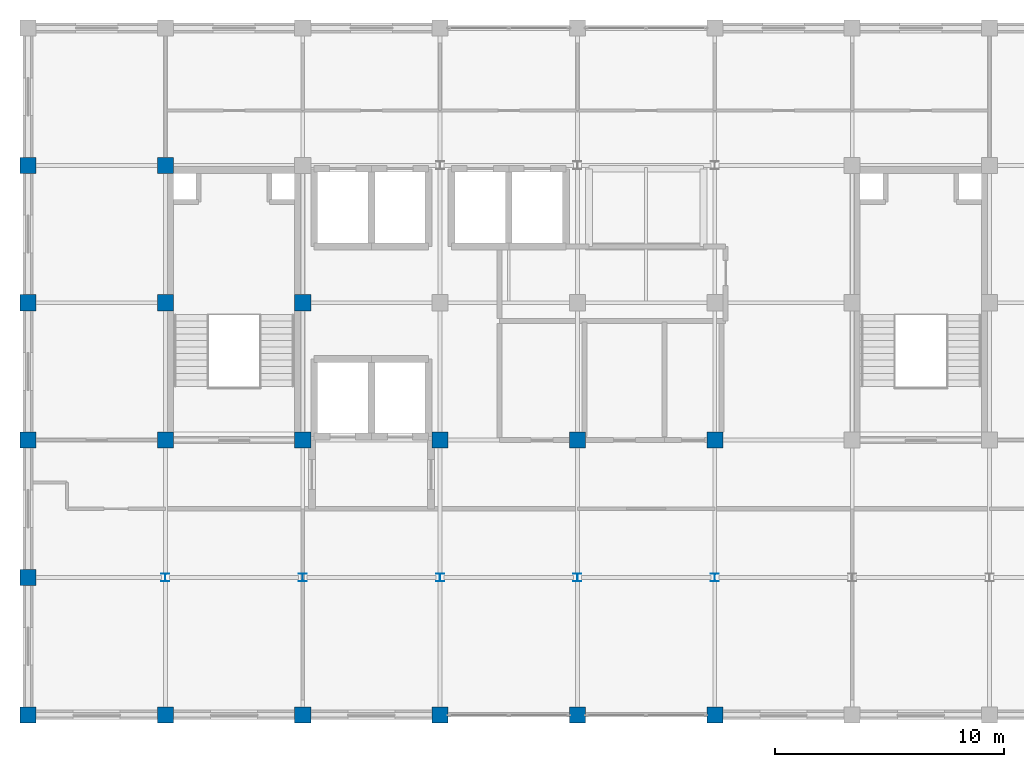
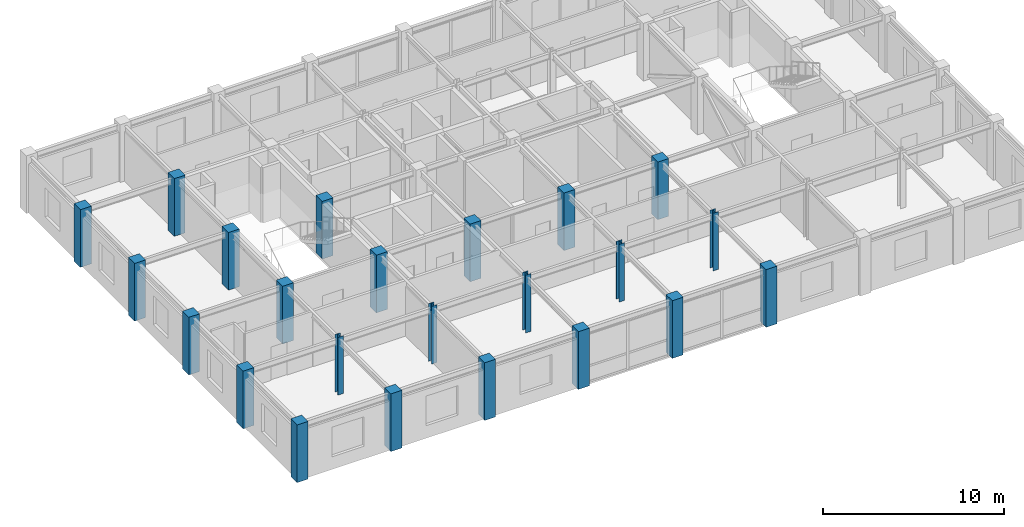
# One storey, part 1 of 13: 23 columns.
"""IFC4 building model written with IfcOpenShell, lengths in metres."""

from ifc_helpers import new_model, si_unit, direction, frame, origin, origin_2d, place, context, subcontext, project, spatial, rectangle, i_section, extrude, material, material_profile, profile_set, type_object, element, save


model = new_model("IFC4")

# Units and contexts
model_context = context("Model", 3, precision=1e-05, world=origin(), true_north=direction((0.0, 1.0)))
body_context = subcontext(model_context, "Body", "Model", "MODEL_VIEW")
ifc_project = project(units=[si_unit("LENGTHUNIT", "METRE"), si_unit("AREAUNIT", "SQUARE_METRE"), si_unit("VOLUMEUNIT", "CUBIC_METRE"), si_unit("PLANEANGLEUNIT", "RADIAN"), si_unit("MASSUNIT", "GRAM", prefix="KILO")], contexts=[model_context])

# Site, building, storey
site_placement = place(None, origin())
site = spatial("IfcSite", under=ifc_project, at=site_placement, CompositionType="ELEMENT")
building_placement = place(site_placement, origin())
building = spatial("IfcBuilding", under=site, at=building_placement, Name="Zlatovratsky Civic Hall", CompositionType="ELEMENT")
storey_placement = place(building_placement, frame((0.0, 0.0, 44.39990234375)))
storey = spatial("IfcBuildingStorey", under=building, at=storey_placement, Name="L11", CompositionType="ELEMENT", Elevation=44.39990234375)

# Columns
ifc_material_1 = material(Name="Concrete C35/45 (B40)", Category="concrete")
ifc_material_profile_1 = material_profile(ifc_material_1, rectangle(XDim=0.699951171875, YDim=0.699951171875, at=origin_2d()), Name="RC 700x700")
ifc_profile_set_1 = profile_set([ifc_material_profile_1], Name="Concrete C35/45 (B40)")
column_type_1 = type_object("IfcColumnType", Name="Col_CorePier_RC700", PredefinedType="COLUMN", material=ifc_profile_set_1)
for number, where, z_axis, x_axis, name in (
    (1, (60.0, 72.0, 0.0), (0.0, 0.0, 1.0), (1.0, 0.0, 0.0), "CL-2357"),
    (2, (66.0, 72.0, 0.0), (0.0, 0.0, 1.0), (1.0, 0.0, 0.0), "CL-2358"),
    (3, (72.0, 72.0, 0.0), (0.0, 0.0, 1.0), (1.0, 0.0, 0.0), "CL-2359"),
    (4, (78.0, 72.0, 0.0), (0.0, 0.0, 1.0), (1.0, 0.0, 0.0), "CL-2360"),
    (5, (84.0, 72.0, 0.0), (0.0, 0.0, 1.0), (1.0, 0.0, 0.0), "CL-2361"),
    (6, (90.0, 72.0, 0.0), (0.0, 0.0, 1.0), (1.0, 0.0, 0.0), "CL-2362"),
    (7, (60.0, 78.0, 0.0), (0.0, 0.0, 1.0), (1.0, 0.0, 0.0), "CL-2366"),
    (8, (60.0, 84.0, 0.0), (0.0, 0.0, 1.0), (1.0, 0.0, 0.0), "CL-2375"),
    (9, (66.0, 84.0, 0.0), (0.0, 0.0, 1.0), (1.0, 0.0, 0.0), "CL-2376"),
    (10, (72.0, 84.0, 0.0), (0.0, 0.0, 1.0), (1.0, 0.0, 0.0), "CL-2377"),
    (11, (78.0, 84.0, 0.0), (0.0, 0.0, 1.0), (1.0, 0.0, 0.0), "CL-2378"),
    (12, (84.0, 84.0, 0.0), (0.0, 0.0, 1.0), (1.0, 0.0, 0.0), "CL-2379"),
    (13, (90.0, 84.0, 0.0), (0.0, 0.0, 1.0), (1.0, 0.0, 0.0), "CL-2380"),
    (14, (60.0, 90.0, 0.0), (0.0, 0.0, 1.0), (1.0, 0.0, 0.0), "CL-2384"),
    (15, (66.0, 90.0, 0.0), (0.0, 0.0, 1.0), (1.0, 0.0, 0.0), "CL-2385"),
    (16, (72.0, 90.0, 0.0), (0.0, 0.0, 1.0), (1.0, 0.0, 0.0), "CL-2386"),
    (17, (60.0, 96.0, 0.0), (0.0, 0.0, 1.0), (1.0, 0.0, 0.0), "CL-2393"),
    (18, (66.0, 96.0, 0.0), (0.0, 0.0, 1.0), (1.0, 0.0, 0.0), "CL-2394"),
):
    element("IfcColumn", number, at=place(storey_placement, frame(where, z_axis=z_axis, x_axis=x_axis)), inside=storey, type_object=column_type_1, Name=name, PredefinedType="COLUMN", context=body_context, shape_type="SweptSolid", body=[
        extrude(rectangle(XDim=0.699951171875, YDim=0.699951171875, at=origin_2d()), origin(), (0.0, 0.0, 1.0), 3.900146484375),
    ])
ifc_material_2 = material(Name="Steel S355", Category="steel")
ifc_material_profile_2 = material_profile(ifc_material_2, i_section(OverallWidth=0.35009765625, OverallDepth=0.343017578125, WebThickness=0.010009765625, FlangeThickness=0.014892578125, FilletRadius=0.02001953125, at=origin_2d()), Name="35K1")
ifc_profile_set_2 = profile_set([ifc_material_profile_2], Name="Steel S355")
column_type_2 = type_object("IfcColumnType", Name="Col_Steel_35K1", PredefinedType="COLUMN", material=ifc_profile_set_2)
for number, where, z_axis, x_axis, name in (
    (19, (66.0, 78.0, 0.0), (0.0, 0.0, 1.0), (1.0, 0.0, 0.0), "CL-2367"),
    (20, (72.0, 78.0, 0.0), (0.0, 0.0, 1.0), (1.0, 0.0, 0.0), "CL-2368"),
    (21, (78.0, 78.0, 0.0), (0.0, 0.0, 1.0), (1.0, 0.0, 0.0), "CL-2369"),
    (22, (84.0, 78.0, 0.0), (0.0, 0.0, 1.0), (1.0, 0.0, 0.0), "CL-2370"),
    (23, (90.0, 78.0, 0.0), (0.0, 0.0, 1.0), (1.0, 0.0, 0.0), "CL-2371"),
):
    element("IfcColumn", number, at=place(storey_placement, frame(where, z_axis=z_axis, x_axis=x_axis)), inside=storey, type_object=column_type_2, Name=name, PredefinedType="COLUMN", context=body_context, shape_type="SweptSolid", body=[
        extrude(i_section(OverallWidth=0.35009765625, OverallDepth=0.343017578125, WebThickness=0.010009765625, FlangeThickness=0.014892578125, FilletRadius=0.02001953125, at=origin_2d()), origin(), (0.0, 0.0, 1.0), 3.900146484375),
    ])

save(model, "model.ifc")
